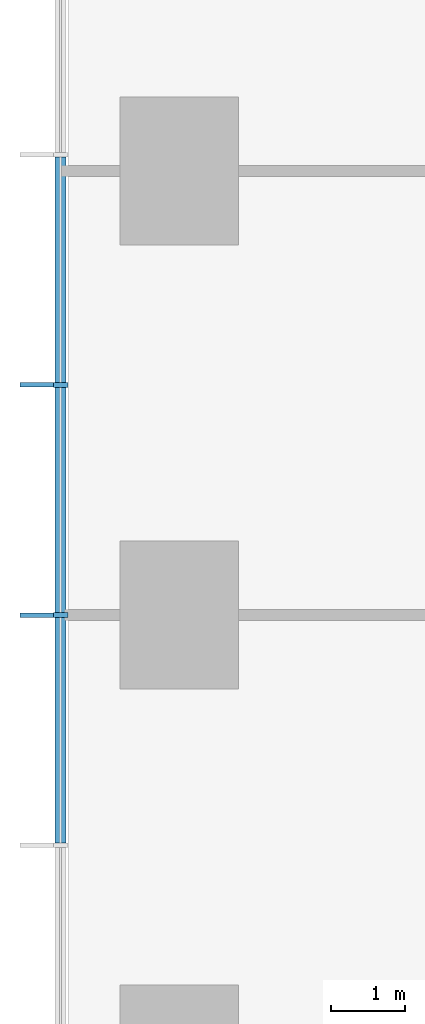
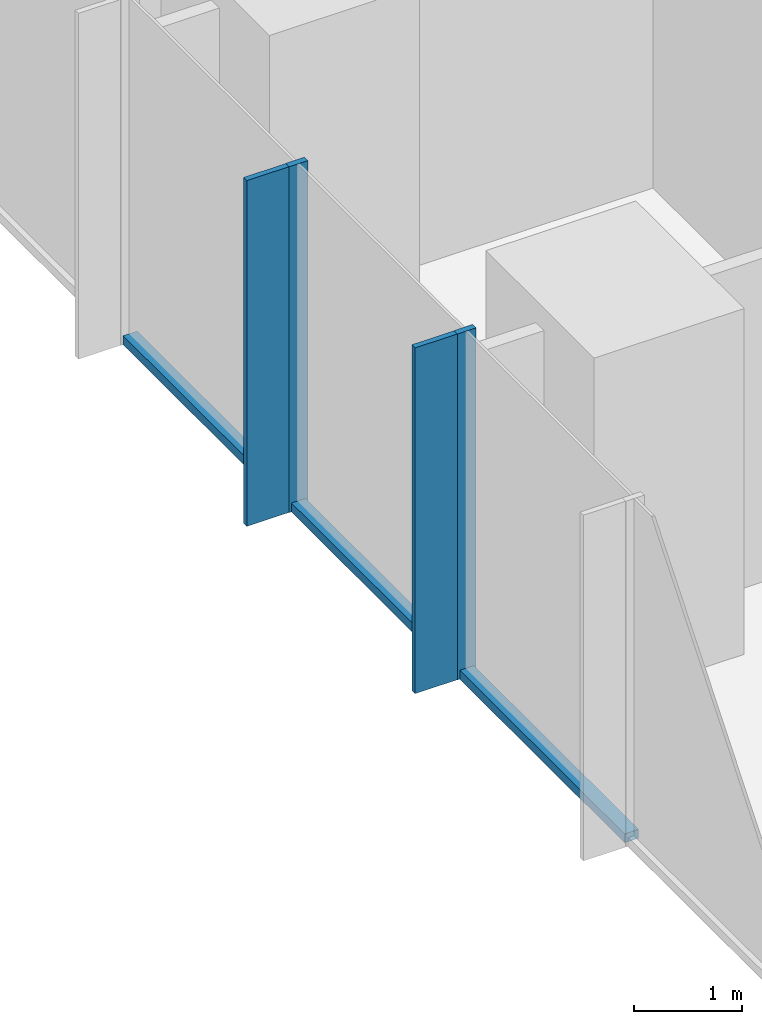
# One storey, part 3 of 12: 7 members, 1 element without a shape of its own.
"""IFC4 building model written with IfcOpenShell, lengths in metres."""

from ifc_helpers import new_model, si_unit, direction, frame, origin, origin_2d, place, context, subcontext, project, spatial, rectangle, extrude, material, layer, layer_set, material_profile, profile_set, type_object, element, aggregate, save


model = new_model("IFC4")

# Units and contexts
model_context = context("Model", 3, precision=1e-05, world=origin(), true_north=direction((0.0, 1.0)))
body_context = subcontext(model_context, "Body", "Model", "MODEL_VIEW")
ifc_project = project(units=[si_unit("LENGTHUNIT", "METRE"), si_unit("AREAUNIT", "SQUARE_METRE"), si_unit("VOLUMEUNIT", "CUBIC_METRE"), si_unit("PLANEANGLEUNIT", "RADIAN"), si_unit("MASSUNIT", "GRAM", prefix="KILO")], contexts=[model_context])

# Site, building, storey
site_placement = place(None, origin())
site = spatial("IfcSite", under=ifc_project, at=site_placement, CompositionType="ELEMENT")
building_placement = place(site_placement, origin())
building = spatial("IfcBuilding", under=site, at=building_placement, Name="Highveld Stack Headquarters", CompositionType="ELEMENT")
storey_placement = place(building_placement, frame((0.0, 0.0, 49.39990234375)))
storey = spatial("IfcBuildingStorey", under=building, at=storey_placement, Name="L11", CompositionType="ELEMENT", Elevation=49.39990234375)

# Curtain wall, members
ifc_material_1 = material(Name="Aluminium bronze anodised", Category="aluminium")
ifc_layer = layer(ifc_material_1, 0.199951171875)
ifc_layer_set = layer_set([ifc_layer], Name="Aluminium bronze anodised")
curtain_wall_type = type_object("IfcCurtainWallType", Name="CW1 TOWER UNITISED CURTAIN WALL", PredefinedType="NOTDEFINED", material=ifc_layer_set)
curtain_wall_placement = place(storey_placement, origin())
curtain_wall = element("IfcCurtainWall", 1, at=curtain_wall_placement, inside=storey, type_object=curtain_wall_type, Name="Curtain wall CW1 L11 W", PredefinedType="NOTDEFINED")
ifc_material_2 = material(Name="Aluminium bronze anodised", Category="aluminium")
ifc_material_profile_1 = material_profile(ifc_material_2, rectangle(XDim=0.449951171875, YDim=0.06005859375, at=origin_2d()), Name="FIN 450x60")
ifc_profile_set_1 = profile_set([ifc_material_profile_1], Name="Aluminium bronze anodised")
member_type_1 = type_object("IfcMemberType", Name="CW1 BRONZE FIN 450x60", PredefinedType="USERDEFINED", material=ifc_profile_set_1)
member_1_placement = place(storey_placement, frame((-19.925048828125, 3.110595703125, 0.0), z_axis=(0.0, 0.0, 1.0), x_axis=(1.0, 0.0, 0.0)))
member_1 = element("IfcMember", 2, at=member_1_placement, type_object=member_type_1, Name="CW1 fin L11 6", ObjectType="FIN", PredefinedType="USERDEFINED", context=body_context, shape_type="SweptSolid", body=[
    extrude(rectangle(XDim=0.449951171875, YDim=0.06005859375, at=origin_2d()), origin(), (0.0, 0.0, 1.0), 3.900146484375),
])
member_2_placement = place(storey_placement, frame((-19.925048828125, 0.0, 0.0), z_axis=(0.0, 0.0, 1.0), x_axis=(1.0, 0.0, 0.0)))
member_2 = element("IfcMember", 3, at=member_2_placement, type_object=member_type_1, Name="CW1 fin L11 7", ObjectType="FIN", PredefinedType="USERDEFINED", context=body_context, shape_type="SweptSolid", body=[
    extrude(rectangle(XDim=0.449951171875, YDim=0.06005859375, at=origin_2d()), origin(), (0.0, 0.0, 1.0), 3.900146484375),
])
ifc_material_3 = material(Name="Aluminium bronze anodised", Category="aluminium")
ifc_material_profile_2 = material_profile(ifc_material_3, rectangle(XDim=0.199951171875, YDim=0.06494140625, at=origin_2d()), Name="CW1 MULLION 65x200")
ifc_profile_set_2 = profile_set([ifc_material_profile_2], Name="Aluminium bronze anodised")
member_type_2 = type_object("IfcMemberType", Name="CW1 MULLION 65x200", PredefinedType="MULLION", material=ifc_profile_set_2)
member_3_placement = place(storey_placement, frame((-19.60009765625, 3.110595703125, 0.0), z_axis=(0.0, 0.0, 1.0), x_axis=(1.0, 0.0, 0.0)))
member_3 = element("IfcMember", 4, at=member_3_placement, type_object=member_type_2, Name="CW1 mullion L11 6", PredefinedType="MULLION", context=body_context, shape_type="SweptSolid", body=[
    extrude(rectangle(XDim=0.199951171875, YDim=0.06494140625, at=origin_2d()), origin(), (0.0, 0.0, 1.0), 3.900146484375),
])
member_4_placement = place(storey_placement, frame((-19.60009765625, 0.0, 0.0), z_axis=(0.0, 0.0, 1.0), x_axis=(1.0, 0.0, 0.0)))
member_4 = element("IfcMember", 5, at=member_4_placement, type_object=member_type_2, Name="CW1 mullion L11 7", PredefinedType="MULLION", context=body_context, shape_type="SweptSolid", body=[
    extrude(rectangle(XDim=0.199951171875, YDim=0.06494140625, at=origin_2d()), origin(), (0.0, 0.0, 1.0), 3.900146484375),
])
ifc_material_4 = material(Name="Aluminium bronze anodised", Category="aluminium")
ifc_material_profile_3 = material_profile(ifc_material_4, rectangle(XDim=0.14990234375, YDim=0.10009765625, at=origin_2d()), Name="CW1 TRANSOM 150x100")
ifc_profile_set_3 = profile_set([ifc_material_profile_3], Name="Aluminium bronze anodised")
member_type_3 = type_object("IfcMemberType", Name="CW1 STACK TRANSOM 150x100", PredefinedType="USERDEFINED", material=ifc_profile_set_3)
member_5_placement = place(storey_placement, frame((-19.60009765625, 6.1884765625, 0.050048828125), z_axis=(0.0, -1.0, 0.0), x_axis=(1.0, 0.0, 0.0)))
member_5 = element("IfcMember", 6, at=member_5_placement, type_object=member_type_3, Name="CW1 transom L11 5.1", ObjectType="TRANSOM", PredefinedType="USERDEFINED", context=body_context, shape_type="SweptSolid", body=[
    extrude(rectangle(XDim=0.14990234375, YDim=0.10009765625, at=origin_2d()), origin(), (0.0, 0.0, 1.0), 3.04541015625),
])
member_6_placement = place(storey_placement, frame((-19.60009765625, 3.077880859375, 0.050048828125), z_axis=(0.0, -1.0, 0.0), x_axis=(1.0, 0.0, 0.0)))
member_6 = element("IfcMember", 7, at=member_6_placement, type_object=member_type_3, Name="CW1 transom L11 6.1", ObjectType="TRANSOM", PredefinedType="USERDEFINED", context=body_context, shape_type="SweptSolid", body=[
    extrude(rectangle(XDim=0.14990234375, YDim=0.10009765625, at=origin_2d()), origin(), (0.0, 0.0, 1.0), 3.04541015625),
])
member_7_placement = place(storey_placement, frame((-19.60009765625, -0.032470703125, 0.050048828125), z_axis=(0.0, -1.0, 0.0), x_axis=(1.0, 0.0, 0.0)))
member_7 = element("IfcMember", 8, at=member_7_placement, type_object=member_type_3, Name="CW1 transom L11 7.1", ObjectType="TRANSOM", PredefinedType="USERDEFINED", context=body_context, shape_type="SweptSolid", body=[
    extrude(rectangle(XDim=0.14990234375, YDim=0.10009765625, at=origin_2d()), origin(), (0.0, 0.0, 1.0), 3.04541015625),
])
aggregate(curtain_wall, [member_3, member_1, member_4, member_2, member_5, member_6, member_7])

save(model, "model.ifc")
